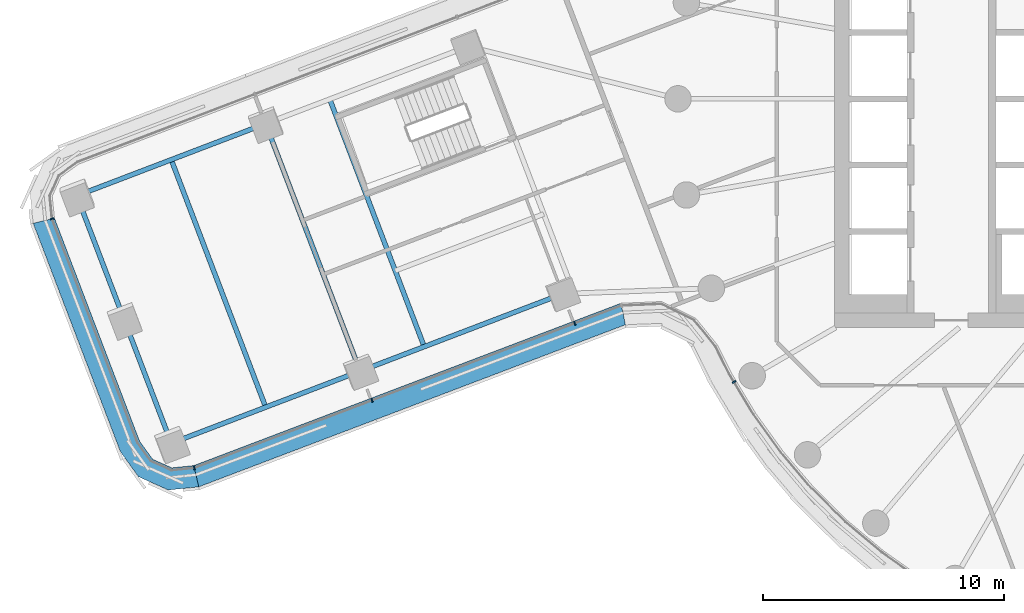
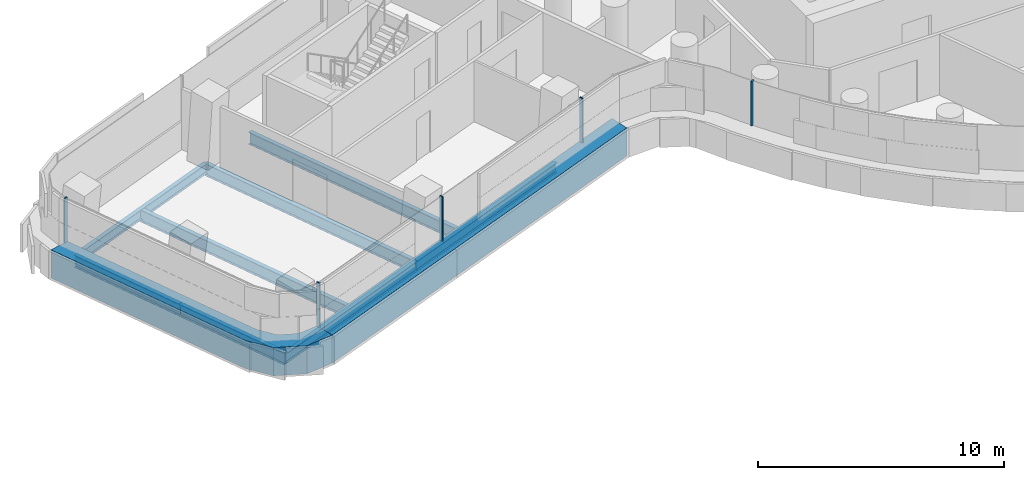
# One storey, part 4 of 32: 8 beams, 7 members, 3 elements without a shape of their own.
"""IFC4 building model written with IfcOpenShell, lengths in metres."""

from ifc_helpers import new_model, si_unit, direction, frame, origin, origin_2d, place, context, subcontext, project, spatial, polyline, rectangle, i_section, outline, extrude, material, layer, layer_set, material_profile, profile_set, type_object, element, aggregate, save


model = new_model("IFC4")

# Units and contexts
model_context = context("Model", 3, precision=1e-05, world=origin(), true_north=direction((0.0, 1.0)))
body_context = subcontext(model_context, "Body", "Model", "MODEL_VIEW")
ifc_project = project(units=[si_unit("LENGTHUNIT", "METRE"), si_unit("AREAUNIT", "SQUARE_METRE"), si_unit("VOLUMEUNIT", "CUBIC_METRE"), si_unit("PLANEANGLEUNIT", "RADIAN"), si_unit("MASSUNIT", "GRAM", prefix="KILO")], contexts=[model_context])

# Site, building, storey
site_placement = place(None, origin())
site = spatial("IfcSite", under=ifc_project, at=site_placement, CompositionType="ELEMENT")
building_placement = place(site_placement, origin())
building = spatial("IfcBuilding", under=site, at=building_placement, Name="Tamarind Cross Interchange Tower", CompositionType="ELEMENT")
storey_placement = place(building_placement, frame((0.0, 0.0, 109.75)))
storey = spatial("IfcBuildingStorey", under=building, at=storey_placement, Name="L26", CompositionType="ELEMENT", Elevation=109.75)

# Beams
ifc_material_1 = material(Name="Steel Q355B", Category="steel")
ifc_material_profile_1 = material_profile(ifc_material_1, i_section(OverallWidth=0.198974609375, OverallDepth=0.49609375, WebThickness=0.009033203125, FlangeThickness=0.013916015625, FilletRadius=0.012939453125, at=origin_2d()), Name="HN 496x199x9x14")
ifc_profile_set_1 = profile_set([ifc_material_profile_1], Name="Steel Q355B")
beam_type_1 = type_object("IfcBeamType", Name="Composite beam HN 496x199x9x14 Q355B", PredefinedType="BEAM", material=ifc_profile_set_1)
beam_1_placement = place(storey_placement, frame((-47.9638671875, -4.025390625, -0.387939453125), z_axis=(0.934231252862, 0.356667865353, 0.0), x_axis=(-0.356667865353, 0.934231252862, 0.0)))
element("IfcBeam", 1, at=beam_1_placement, inside=storey, type_object=beam_type_1, Name="Beam W-edgeem5", PredefinedType="BEAM", context=body_context, shape_type="SweptSolid", body=[
    extrude(i_section(OverallWidth=0.198974609375, OverallDepth=0.49609375, WebThickness=0.009033203125, FlangeThickness=0.013916015625, FilletRadius=0.012939453125, at=origin_2d()), origin(), (0.0, 0.0, 1.0), 8.39208984375),
])
beam_2_placement = place(storey_placement, frame((-44.040283203125, -14.3017578125, -0.387939453125), z_axis=(0.934227551861, 0.356677559349, 0.0), x_axis=(-0.356677559349, 0.934227551861, 0.0)))
element("IfcBeam", 2, at=beam_2_placement, inside=storey, type_object=beam_type_1, Name="Beam W-edgeep2", PredefinedType="BEAM", context=body_context, shape_type="SweptSolid", body=[
    extrude(i_section(OverallWidth=0.198974609375, OverallDepth=0.49609375, WebThickness=0.009033203125, FlangeThickness=0.013916015625, FilletRadius=0.012939453125, at=origin_2d()), origin(), (0.0, 0.0, 1.0), 8.391845703125),
])
beam_3_placement = place(storey_placement, frame((-36.200439453125, -11.30859375, -0.387939453125), z_axis=(0.934231369956, 0.356667558645, 0.0), x_axis=(-0.356667558645, 0.934231369956, 0.0)))
element("IfcBeam", 3, at=beam_3_placement, inside=storey, type_object=beam_type_1, Name="Beam W-edgeep3", PredefinedType="BEAM", context=body_context, shape_type="SweptSolid", body=[
    extrude(i_section(OverallWidth=0.198974609375, OverallDepth=0.49609375, WebThickness=0.009033203125, FlangeThickness=0.013916015625, FilletRadius=0.012939453125, at=origin_2d()), origin(), (0.0, 0.0, 1.0), 8.999755859375),
])
ifc_material_profile_2 = material_profile(ifc_material_1, i_section(OverallWidth=0.199951171875, OverallDepth=0.60009765625, WebThickness=0.010986328125, FlangeThickness=0.01708984375, FilletRadius=0.012939453125, at=origin_2d()), Name="HN 600x200x11x17")
ifc_profile_set_2 = profile_set([ifc_material_profile_2], Name="Steel Q355B")
beam_type_2 = type_object("IfcBeamType", Name="Composite beam HN 600x200x11x17 Q355B", PredefinedType="BEAM", material=ifc_profile_set_2)
for number, where, z_axis, x_axis, name in (
    (4, (-47.9638671875, -4.025390625, -0.43994140625), (0.356711427028, -0.93421462086, 0.0), (0.93421462086, 0.356711427028, 0.0), "Beam W-tip0"),
    (5, (-46.001953125, -9.16357421875, -0.43994140625), (0.356672685145, -0.934229412763, 0.0), (0.934229412763, 0.356672685145, 0.0), "Beam W-tip1"),
):
    element("IfcBeam", number, at=place(storey_placement, frame(where, z_axis=z_axis, x_axis=x_axis)), inside=storey, type_object=beam_type_2, Name=name, PredefinedType="BEAM", context=body_context, shape_type="SweptSolid", body=[
        extrude(i_section(OverallWidth=0.199951171875, OverallDepth=0.60009765625, WebThickness=0.010986328125, FlangeThickness=0.01708984375, FilletRadius=0.012939453125, at=origin_2d()), origin(), (0.0, 0.0, 1.0), 5.5),
    ])
beam_4_placement = place(storey_placement, frame((-37.46142578125, -0.015625, -0.43994140625), z_axis=(0.356684660507, -0.934224840688, 0.0), x_axis=(0.934224840688, 0.356684660507, 0.0)))
element("IfcBeam", 6, at=beam_4_placement, inside=storey, type_object=beam_type_2, Name="Beam W-x364", PredefinedType="BEAM", context=body_context, shape_type="SweptSolid", body=[
    extrude(i_section(OverallWidth=0.199951171875, OverallDepth=0.60009765625, WebThickness=0.010986328125, FlangeThickness=0.01708984375, FilletRadius=0.012939453125, at=origin_2d()), origin(), (0.0, 0.0, 1.0), 11.000244140625),
])
for number, where, z_axis, x_axis, name in (
    (7, (-40.123779296875, -1.0322265625, -0.43994140625), (0.356672685145, -0.934229412763, 0.0), (0.934229412763, 0.356672685145, 0.0), "Beam W-x393"),
    (8, (-44.043701171875, -2.52880859375, -0.43994140625), (0.356672685145, -0.934229412763, 0.0), (0.934229412763, 0.356672685145, 0.0), "Beam W-x435"),
):
    element("IfcBeam", number, at=place(storey_placement, frame(where, z_axis=z_axis, x_axis=x_axis)), inside=storey, type_object=beam_type_2, Name=name, PredefinedType="BEAM", context=body_context, shape_type="SweptSolid", body=[
        extrude(i_section(OverallWidth=0.199951171875, OverallDepth=0.60009765625, WebThickness=0.010986328125, FlangeThickness=0.01708984375, FilletRadius=0.012939453125, at=origin_2d()), origin(), (0.0, 0.0, 1.0), 10.999755859375),
    ])

# Curtain wall, member
ifc_material_2 = material(Name="Aluminium 6063-T6", Category="aluminium")
ifc_layer = layer(ifc_material_2, 0.159912109375)
ifc_layer_set = layer_set([ifc_layer], Name="Aluminium 6063-T6")
curtain_wall_type = type_object("IfcCurtainWallType", Name="Office curtain wall, 9.0 m bays", PredefinedType="NOTDEFINED", material=ifc_layer_set)
curtain_wall_1_placement = place(storey_placement, origin())
curtain_wall_1 = element("IfcCurtainWall", 9, at=curtain_wall_1_placement, inside=storey, type_object=curtain_wall_type, Name="CWS-L26-00", PredefinedType="NOTDEFINED")
ifc_material_3 = material(Name="Aluminium and insulated spandrel panel", Category="aluminium")
member_type_1 = type_object("IfcMemberType", Name="Floor-edge blade transom", PredefinedType="USERDEFINED", material=ifc_material_3)
member_1_placement = place(storey_placement, origin())
member_1 = element("IfcMember", 10, at=member_1_placement, type_object=member_type_1, Name="CWT-L26-00", ObjectType="TRANSOM", PredefinedType="USERDEFINED", context=body_context, shape_type="SweptSolid", body=[
    extrude(outline(polyline([(-48.892333984375, -4.957275390625), (-45.353759765625, -14.225830078125), (-44.817138671875, -14.96728515625), (-44.018798828125, -15.324462890625), (-43.108154296875, -15.23046875), (-42.8984375, -16.113525390625), (-44.166259765625, -16.24462890625), (-45.40478515625, -15.6904296875), (-46.15234375, -14.657470703125), (-49.775390625, -5.167724609375), (-48.892333984375, -4.957275390625)])), origin(), (0.0, 0.0, 1.0), 1.39990234375),
])

curtain_wall_2_placement = place(storey_placement, origin())
curtain_wall_2 = element("IfcCurtainWall", 11, at=curtain_wall_2_placement, inside=storey, type_object=curtain_wall_type, Name="CWS-L26-01", PredefinedType="NOTDEFINED")
member_2_placement = place(storey_placement, origin())
member_2 = element("IfcMember", 12, at=member_2_placement, type_object=member_type_1, Name="CWT-L26-01", ObjectType="TRANSOM", PredefinedType="USERDEFINED", context=body_context, shape_type="SweptSolid", body=[
    extrude(outline(polyline([(-43.108154296875, -15.23046875), (-25.366455078125, -8.4892578125), (-25.182861328125, -9.38232421875), (-42.8984375, -16.113525390625), (-43.108154296875, -15.23046875)])), origin(), (0.0, 0.0, 1.0), 1.39990234375),
])

# Member
ifc_material_profile_3 = material_profile(ifc_material_2, rectangle(XDim=0.06005859375, YDim=0.159912109375, at=origin_2d()), Name="Mullion CW1")
ifc_profile_set_3 = profile_set([ifc_material_profile_3], Name="Aluminium 6063-T6")
member_type_2 = type_object("IfcMemberType", Name="Mullion CW1", PredefinedType="MULLION", material=ifc_profile_set_3)
member_3_placement = place(storey_placement, frame((-48.990478515625, -4.980712890625, 1.39990234375), z_axis=(0.0, 0.0, 1.0), x_axis=(0.231679990362, -0.972792054895, 0.0)))
member_3 = element("IfcMember", 13, at=member_3_placement, type_object=member_type_2, Name="CWM-L26-00-00", PredefinedType="MULLION", context=body_context, shape_type="SweptSolid", body=[
    extrude(rectangle(XDim=0.06005859375, YDim=0.159912109375, at=origin_2d()), origin(), (0.0, 0.0, 1.0), 2.210205078125),
])

aggregate(curtain_wall_1, [member_3, member_1])

member_4_placement = place(storey_placement, frame((-43.084716796875, -15.32861328125, 1.39990234375), z_axis=(0.0, 0.0, 1.0), x_axis=(0.972976072696, 0.230905959127, 0.0)))
member_4 = element("IfcMember", 14, at=member_4_placement, type_object=member_type_2, Name="CWM-L26-01-00", PredefinedType="MULLION", context=body_context, shape_type="SweptSolid", body=[
    extrude(rectangle(XDim=0.06005859375, YDim=0.159912109375, at=origin_2d()), origin(), (0.0, 0.0, 1.0), 2.210205078125),
])

member_5_placement = place(storey_placement, frame((-35.705078125, -12.524658203125, 1.39990234375), z_axis=(0.0, 0.0, 1.0), x_axis=(0.934795735228, 0.355185773082, 0.0)))
member_5 = element("IfcMember", 15, at=member_5_placement, type_object=member_type_2, Name="CWM-L26-01-01", PredefinedType="MULLION", context=body_context, shape_type="SweptSolid", body=[
    extrude(rectangle(XDim=0.06005859375, YDim=0.159912109375, at=origin_2d()), origin(), (0.0, 0.0, 1.0), 2.210205078125),
])

member_6_placement = place(storey_placement, frame((-27.289306640625, -9.326904296875, 1.39990234375), z_axis=(0.0, 0.0, 1.0), x_axis=(0.934795735228, 0.355185773082, 0.0)))
member_6 = element("IfcMember", 16, at=member_6_placement, type_object=member_type_2, Name="CWM-L26-01-02", PredefinedType="MULLION", context=body_context, shape_type="SweptSolid", body=[
    extrude(rectangle(XDim=0.06005859375, YDim=0.159912109375, at=origin_2d()), origin(), (0.0, 0.0, 1.0), 2.210205078125),
])

aggregate(curtain_wall_2, [member_4, member_5, member_6, member_2])

# Curtain wall, member
curtain_wall_3_placement = place(storey_placement, origin())
curtain_wall_3 = element("IfcCurtainWall", 17, at=curtain_wall_3_placement, inside=storey, type_object=curtain_wall_type, Name="CWS-L26-02", PredefinedType="NOTDEFINED")
member_7_placement = place(storey_placement, frame((-20.67236328125, -11.758544921875, 1.39990234375), z_axis=(0.0, 0.0, 1.0), x_axis=(0.515577308909, -0.856843065292, 0.0)))
member_7 = element("IfcMember", 18, at=member_7_placement, type_object=member_type_2, Name="CWM-L26-02-01", PredefinedType="MULLION", context=body_context, shape_type="SweptSolid", body=[
    extrude(rectangle(XDim=0.06005859375, YDim=0.159912109375, at=origin_2d()), origin(), (0.0, 0.0, 1.0), 2.210205078125),
])
aggregate(curtain_wall_3, [member_7])

save(model, "model.ifc")
